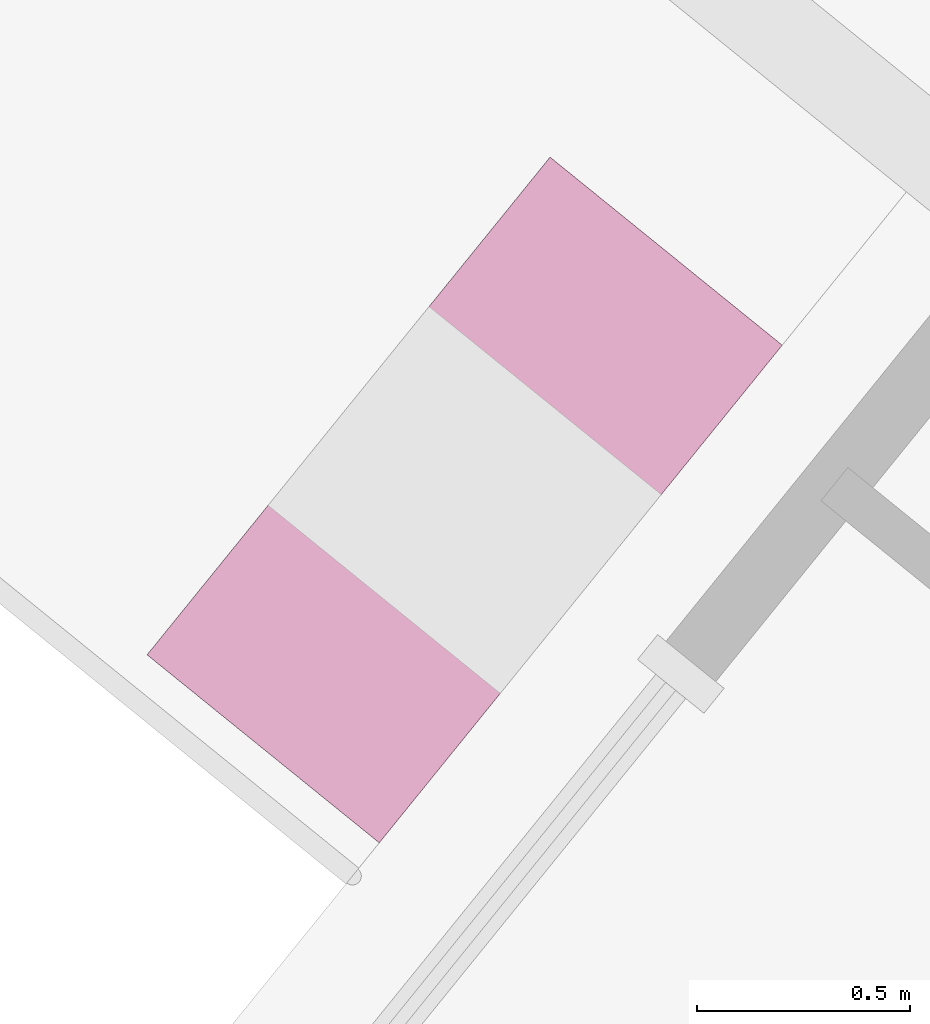
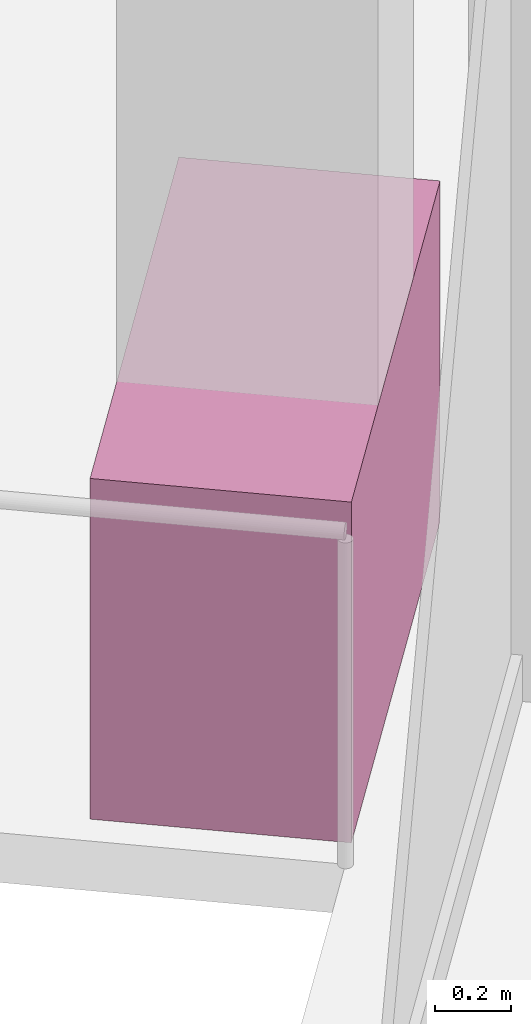
# One storey, part 21 of 22: 1 furniture element.
"""IFC4 building model written with IfcOpenShell, lengths in metres."""

from ifc_helpers import new_model, si_unit, direction, frame, origin, origin_2d, place, context, subcontext, project, spatial, rectangle, extrude, source, transform, mapped, material, type_object, element, save


model = new_model("IFC4")

# Units and contexts
model_context = context("Model", 3, precision=1e-05, world=origin(), true_north=direction((0.0, 1.0)))
body_context = subcontext(model_context, "Body", "Model", "MODEL_VIEW")
ifc_project = project(units=[si_unit("LENGTHUNIT", "METRE"), si_unit("AREAUNIT", "SQUARE_METRE"), si_unit("VOLUMEUNIT", "CUBIC_METRE"), si_unit("PLANEANGLEUNIT", "RADIAN"), si_unit("MASSUNIT", "GRAM", prefix="KILO")], contexts=[model_context])

# Site, building, storey
site_placement = place(None, origin())
site = spatial("IfcSite", under=ifc_project, at=site_placement, CompositionType="ELEMENT")
building_placement = place(site_placement, origin())
building = spatial("IfcBuilding", under=site, at=building_placement, Name="Triune Harvest Tower", CompositionType="ELEMENT")
storey_placement = place(building_placement, frame((0.0, 0.0, 153.300048828125)))
storey = spatial("IfcBuildingStorey", under=building, at=storey_placement, Name="L39", CompositionType="ELEMENT", Elevation=153.300048828125)

# Furniture
ifc_material = material(Name="Concrete 40 MPa", Category="concrete")
furniture_type = type_object("IfcFurnitureType", Name="PB-1 structural planter", AssemblyPlace="SITE", PredefinedType="USERDEFINED", material=ifc_material)
shared_shape = source(origin(), body_context, "Body", "SweptSolid", [
    extrude(rectangle(XDim=1.5, YDim=0.699951171875, at=origin_2d()), origin(), (0.0, 0.0, 1.0), 1.10009765625),
])
furniture_placement = place(storey_placement, frame((-27.748291015625, 0.693115234375, 0.0), z_axis=(0.0, 0.0, 1.0), x_axis=(-0.629321459087, -0.777145096577, 0.0)))
element("IfcFurniture", 1, at=furniture_placement, inside=storey, type_object=furniture_type, Name="Planter B4-F3 L39.10b", ObjectType="PLANTER", PredefinedType="USERDEFINED", context=body_context, shape_type="MappedRepresentation", body=[
    mapped(shared_shape, transform((0.0, 0.0, 0.0), scale=1.0)),
])

save(model, "model.ifc")
